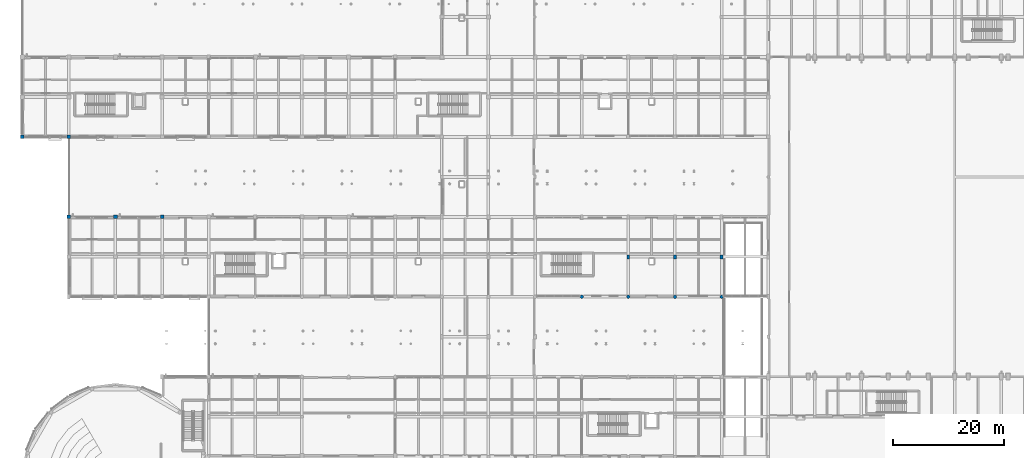
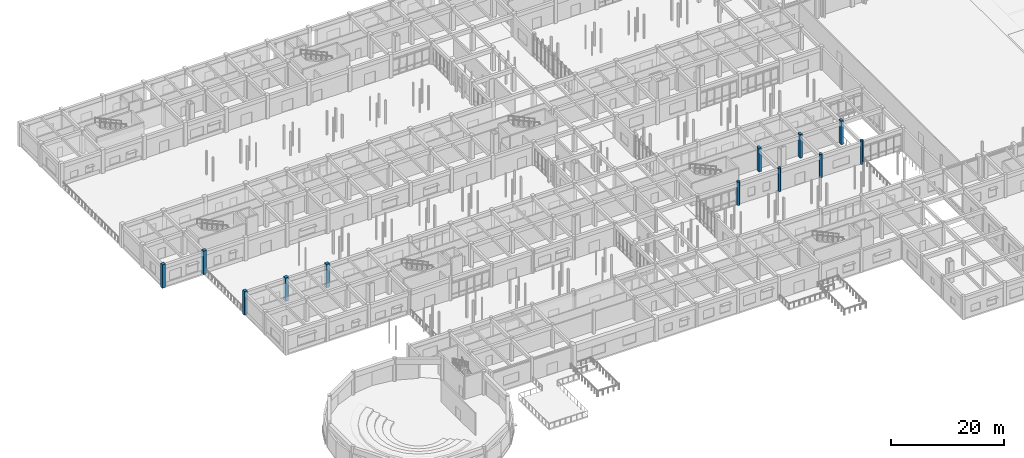
# One storey, part 9 of 121: 12 columns.
"""IFC4 building model written with IfcOpenShell, lengths in metres."""

import ifcopenshell
import ifcopenshell.guid

model = None  # the IFC model being written
_history = None  # IfcOwnerHistory: only IFC2X3 demands one
_inside = {}  # id of a spatial element -> (the spatial element, [elements in it])
_under = {}  # id of a project, library or spatial element -> (it, [spatial elements below it])
_declared = {}  # id of a project -> (the project, [libraries it declares])
_typed = {}  # id of a type object -> (the type object, [elements of that type])
_made_of = {}  # id of a material, layer set ... -> (it, [elements and type objects made of it])


def new_model(schema):
    """Start an empty IFC model of exactly this schema.

    Asked for "IFC4X3", IfcOpenShell would pick the latest addendum, in which some entities
    have other attributes; the version numbers below select the first issue.
    IFC2X3 requires an IfcOwnerHistory on every rooted entity: one is made here for all.
    """
    global model, _history
    if schema == "IFC4X3":
        model = ifcopenshell.file(schema_version=(4, 3, 0, 0))
    else:
        model = ifcopenshell.file(schema=schema)
    _inside.clear()
    _under.clear()
    _declared.clear()
    _typed.clear()
    _made_of.clear()
    _history = None
    if model.schema == "IFC2X3":
        org = make("IfcOrganization", Name="unknown")
        user = make(
            "IfcPersonAndOrganization",
            ThePerson=make("IfcPerson", FamilyName="unknown"),
            TheOrganization=org,
        )
        app = make(
            "IfcApplication",
            ApplicationDeveloper=org,
            Version="unknown",
            ApplicationFullName="unknown",
            ApplicationIdentifier="unknown",
        )
        _history = make(
            "IfcOwnerHistory",
            OwningUser=user,
            OwningApplication=app,
            ChangeAction="ADDED",
            CreationDate=0,
        )
    return model


def make(cls, **values):
    """One entity of the class cls with the attributes given. An attribute that is None is left unset."""
    return model.create_entity(
        cls, **{name: value for name, value in values.items() if value is not None}
    )


def rooted(cls, **values):
    """An entity with a GlobalId (a new one), such as an element, a storey or a relation."""
    return make(cls, GlobalId=ifcopenshell.guid.new(), OwnerHistory=_history, **values)


def si_unit(unit_type, name, prefix=None):
    """IfcSIUnit, for example si_unit("LENGTHUNIT", "METRE", prefix="MILLI")."""
    return make("IfcSIUnit", UnitType=unit_type, Prefix=prefix, Name=name)


def assignment(units):
    """IfcUnitAssignment: the units of a project."""
    return None if units is None else make("IfcUnitAssignment", Units=units)


def point(xyz):
    """IfcCartesianPoint."""
    return None if xyz is None else make("IfcCartesianPoint", Coordinates=xyz)


def direction(xyz):
    """IfcDirection."""
    return None if xyz is None else make("IfcDirection", DirectionRatios=xyz)


def frame(location, z_axis=None, x_axis=None):
    """IfcAxis2Placement3D, a coordinate frame: its origin and axes. An axis left out is left unset."""
    return make(
        "IfcAxis2Placement3D",
        Location=point(location),
        Axis=direction(z_axis),
        RefDirection=direction(x_axis),
    )


def frame_2d(location, x_axis=None):
    """IfcAxis2Placement2D, a coordinate frame in the plane: its origin and x axis."""
    return make(
        "IfcAxis2Placement2D", Location=point(location), RefDirection=direction(x_axis)
    )


def origin():
    """The frame at (0, 0, 0) with its axes left unset."""
    return frame((0.0, 0.0, 0.0))


def origin_2d():
    """The frame at (0, 0) in the plane with its x axis left unset."""
    return frame_2d((0.0, 0.0))


def place(relative_to, where):
    """IfcLocalPlacement: puts the frame where relative to a parent placement (None: the world)."""
    return make(
        "IfcLocalPlacement", PlacementRelTo=relative_to, RelativePlacement=where
    )


def context(
    kind, dimensions, precision=None, world=None, true_north=None, identifier=None
):
    """IfcGeometricRepresentationContext, for example the 3D "Model" context."""
    return make(
        "IfcGeometricRepresentationContext",
        ContextIdentifier=identifier,
        ContextType=kind,
        CoordinateSpaceDimension=dimensions,
        Precision=precision,
        WorldCoordinateSystem=world,
        TrueNorth=true_north,
    )


def subcontext(parent, identifier, kind, view, scale=None):
    """IfcGeometricRepresentationSubContext, for example "Body" below "Model"."""
    return make(
        "IfcGeometricRepresentationSubContext",
        ContextIdentifier=identifier,
        ContextType=kind,
        ParentContext=parent,
        TargetScale=scale,
        TargetView=view,
    )


def project(units=None, contexts=None):
    """IfcProject with its units and contexts."""
    return rooted(
        "IfcProject",
        Name="project",
        RepresentationContexts=contexts,
        UnitsInContext=assignment(units),
    )


def spatial(cls, under=None, at=None, **own):
    """A site, building, storey or space (cls), placed at a placement, below another one or the project."""
    s = rooted(cls, ObjectPlacement=at, **own)
    if under is not None:
        _under.setdefault(under.id(), (under, []))[1].append(s)
    return s


def profile(cls, at=None, kind="AREA", **sizes):
    """A parametric profile (cls). Its sizes go by their IFC names, for example OverallWidth=200.0."""
    return make(cls, ProfileType=kind, Position=at, **sizes)


def rectangle(**sizes):
    """IfcRectangleProfileDef."""
    return profile("IfcRectangleProfileDef", **sizes)


def circle(**sizes):
    """IfcCircleProfileDef."""
    return profile("IfcCircleProfileDef", **sizes)


def extrude(swept, where, along, depth):
    """IfcExtrudedAreaSolid: the profile swept, set in the frame where, extruded along a direction by depth."""
    return make(
        "IfcExtrudedAreaSolid",
        SweptArea=swept,
        Position=where,
        ExtrudedDirection=direction(along),
        Depth=depth,
    )


def shape(context_of_items, identifier, shape_type, items):
    """IfcShapeRepresentation: the items that make up one representation, for example the "Body"."""
    return make(
        "IfcShapeRepresentation",
        ContextOfItems=context_of_items,
        RepresentationIdentifier=identifier,
        RepresentationType=shape_type,
        Items=items,
    )


def material(Name=None, Category=None):
    """IfcMaterial."""
    return make("IfcMaterial", Name=Name, Category=Category)


def material_profile(
    of_material, cross_section, Name=None, Category=None, Priority=None
):
    """IfcMaterialProfile: a cross section and its material."""
    return make(
        "IfcMaterialProfile",
        Name=Name,
        Material=of_material,
        Profile=cross_section,
        Priority=Priority,
        Category=Category,
    )


def profile_set(profiles, Name=None, composite=None):
    """IfcMaterialProfileSet."""
    return make(
        "IfcMaterialProfileSet",
        Name=Name,
        MaterialProfiles=profiles,
        CompositeProfile=composite,
    )


def made_of(thing, what):
    """Note that an element or type object is made of a material, layer set ...; save() writes the relation."""
    if what is not None:
        _made_of.setdefault(what.id(), (what, []))[1].append(thing)
    return thing


def type_object(cls, material=None, **own):
    """A type object (cls), such as IfcWallType, which elements share."""
    return made_of(rooted(cls, **own), material)


def element(
    cls,
    number,
    at=None,
    inside=None,
    cuts=None,
    type_object=None,
    material=None,
    context=None,
    identifier="Body",
    shape_type=None,
    held_by="IfcProductDefinitionShape",
    body=None,
    shapes=None,
    **own,
):
    """One element of the class cls, such as IfcWall. Its Tag is "e" and its number.

    at: its placement. inside: the storey or other place that contains it. cuts: it is an
    opening in that element (IfcRelVoidsElement). A single representation is given by context,
    identifier, shape_type and body (its items); several are given by shapes. held_by: the class
    of the entity that holds the representations. save() writes the other relations.
    """
    e = rooted(cls, Tag="e%d" % number, ObjectPlacement=at, **own)
    if body is not None:
        shapes = [shape(context, identifier, shape_type, body)]
    if shapes is not None:
        e.Representation = make(held_by, Representations=shapes)
    if inside is not None:
        _inside.setdefault(inside.id(), (inside, []))[1].append(e)
    if cuts is not None:
        rooted(
            "IfcRelVoidsElement", RelatingBuildingElement=cuts, RelatedOpeningElement=e
        )
    if type_object is not None:
        _typed.setdefault(type_object.id(), (type_object, []))[1].append(e)
    return made_of(e, material)


def aggregate(whole, parts):
    """IfcRelAggregates: a whole, such as a stair, and the parts it consists of."""
    return rooted("IfcRelAggregates", RelatingObject=whole, RelatedObjects=parts)


def save(model, path):
    """Write the relations noted so far, then the file.

    IfcRelAggregates (storeys below a building ...), IfcRelContainedInSpatialStructure (elements
    in a storey), IfcRelDefinesByType, IfcRelAssociatesMaterial and IfcRelDeclares: one each for
    every whole, place, type object, material and project.
    """
    for whole, parts in _under.values():
        aggregate(whole, parts)
    for where, things in _inside.values():
        rooted(
            "IfcRelContainedInSpatialStructure",
            RelatedElements=things,
            RelatingStructure=where,
        )
    for kind, things in _typed.values():
        rooted("IfcRelDefinesByType", RelatedObjects=things, RelatingType=kind)
    for what, things in _made_of.values():
        rooted("IfcRelAssociatesMaterial", RelatedObjects=things, RelatingMaterial=what)
    for by, libraries in _declared.values():
        rooted("IfcRelDeclares", RelatingContext=by, RelatedDefinitions=libraries)
    model.write(path)


model = new_model("IFC4")

# Units and contexts
model_context = context("Model", 3, precision=1e-05, world=origin(), true_north=direction((0.0, 1.0)))
body_context = subcontext(model_context, "Body", "Model", "MODEL_VIEW")
ifc_project = project(units=[si_unit("LENGTHUNIT", "METRE"), si_unit("AREAUNIT", "SQUARE_METRE"), si_unit("VOLUMEUNIT", "CUBIC_METRE"), si_unit("PLANEANGLEUNIT", "RADIAN"), si_unit("MASSUNIT", "GRAM", prefix="KILO")], contexts=[model_context])

# Site, building, storey
site_placement = place(None, origin())
site = spatial("IfcSite", under=ifc_project, at=site_placement, CompositionType="ELEMENT")
building_placement = place(site_placement, origin())
building = spatial("IfcBuilding", under=site, at=building_placement, Name="Malvenik Polytechnic", CompositionType="ELEMENT")
storey_placement = place(building_placement, origin())
storey = spatial("IfcBuildingStorey", under=building, at=storey_placement, Name="L00", CompositionType="ELEMENT", Elevation=0.0)

# Columns
ifc_material = material(Name="Concrete C35/45", Category="concrete")
ifc_material_profile_1 = material_profile(ifc_material, rectangle(XDim=0.64990234375, YDim=0.64990234375, at=origin_2d()), Name="RC COL 650x650")
ifc_profile_set_1 = profile_set([ifc_material_profile_1], Name="Concrete C35/45")
column_type_1 = type_object("IfcColumnType", Name="STR-COL-C-05", PredefinedType="COLUMN", material=ifc_profile_set_1)
for number, where, z_axis, x_axis, name in (
    (1, (0.0, 79.199951171875, 0.0), (0.0, 0.0, 1.0), (1.0, 0.0, 0.0), "Column C-05 L00 (0.0,79.2)"),
    (2, (8.39990234375, 64.800048828125, 0.0), (0.0, 0.0, 1.0), (1.0, 0.0, 0.0), "Column C-05 L00 (8.4,64.8)"),
    (3, (8.39990234375, 79.199951171875, 0.0), (0.0, 0.0, 1.0), (1.0, 0.0, 0.0), "Column C-05 L00 (8.4,79.2)"),
    (4, (16.800048828125, 64.800048828125, 0.0), (0.0, 0.0, 1.0), (1.0, 0.0, 0.0), "Column C-05 L00 (16.8,64.8)"),
    (5, (25.199951171875, 64.800048828125, 0.0), (0.0, 0.0, 1.0), (1.0, 0.0, 0.0), "Column C-05 L00 (25.2,64.8)"),
):
    element("IfcColumn", number, at=place(storey_placement, frame(where, z_axis=z_axis, x_axis=x_axis)), inside=storey, type_object=column_type_1, Name=name, PredefinedType="COLUMN", context=body_context, shape_type="SweptSolid", body=[
        extrude(rectangle(XDim=0.64990234375, YDim=0.64990234375, at=origin_2d()), origin(), (0.0, 0.0, 1.0), 5.10009765625),
    ])
ifc_material_profile_2 = material_profile(ifc_material, rectangle(XDim=0.5, YDim=0.75, at=origin_2d()), Name="RC COL 750x500")
ifc_profile_set_2 = profile_set([ifc_material_profile_2], Name="Concrete C35/45")
column_type_2 = type_object("IfcColumnType", Name="STR-COL-C-14", PredefinedType="COLUMN", material=ifc_profile_set_2)
for number, where, z_axis, x_axis, name in (
    (6, (109.199951171875, 57.60009765625, 0.0), (0.0, 0.0, 1.0), (1.0, 0.0, 0.0), "Column C-14 L00 (109.2,57.6)"),
    (7, (117.60009765625, 57.60009765625, 0.0), (0.0, 0.0, 1.0), (1.0, 0.0, 0.0), "Column C-14 L00 (117.6,57.6)"),
    (8, (126.0, 57.60009765625, 0.0), (0.0, 0.0, 1.0), (1.0, 0.0, 0.0), "Column C-14 L00 (126.0,57.6)"),
):
    element("IfcColumn", number, at=place(storey_placement, frame(where, z_axis=z_axis, x_axis=x_axis)), inside=storey, type_object=column_type_2, Name=name, PredefinedType="COLUMN", context=body_context, shape_type="SweptSolid", body=[
        extrude(rectangle(XDim=0.5, YDim=0.75, at=origin_2d()), origin(), (0.0, 0.0, 1.0), 5.10009765625),
    ])
ifc_material_profile_3 = material_profile(ifc_material, circle(Radius=0.300048828125, at=origin_2d()), Name="RC COL D600")
ifc_profile_set_3 = profile_set([ifc_material_profile_3], Name="Concrete C35/45")
column_type_3 = type_object("IfcColumnType", Name="STR-COL-C-18", PredefinedType="COLUMN", material=ifc_profile_set_3)
for number, where, z_axis, x_axis, name in (
    (9, (100.800048828125, 50.39990234375, 0.0), (0.0, 0.0, 1.0), (1.0, 0.0, 0.0), "Column C-18 L00 (100.8,50.4)"),
    (10, (109.199951171875, 50.39990234375, 0.0), (0.0, 0.0, 1.0), (1.0, 0.0, 0.0), "Column C-18 L00 (109.2,50.4)"),
    (11, (117.60009765625, 50.39990234375, 0.0), (0.0, 0.0, 1.0), (1.0, 0.0, 0.0), "Column C-18 L00 (117.6,50.4)"),
    (12, (126.0, 50.39990234375, 0.0), (0.0, 0.0, 1.0), (1.0, 0.0, 0.0), "Column C-18 L00 (126.0,50.4)"),
):
    element("IfcColumn", number, at=place(storey_placement, frame(where, z_axis=z_axis, x_axis=x_axis)), inside=storey, type_object=column_type_3, Name=name, PredefinedType="COLUMN", context=body_context, shape_type="SweptSolid", body=[
        extrude(circle(Radius=0.300048828125, at=origin_2d()), origin(), (0.0, 0.0, 1.0), 5.10009765625),
    ])

save(model, "model.ifc")
